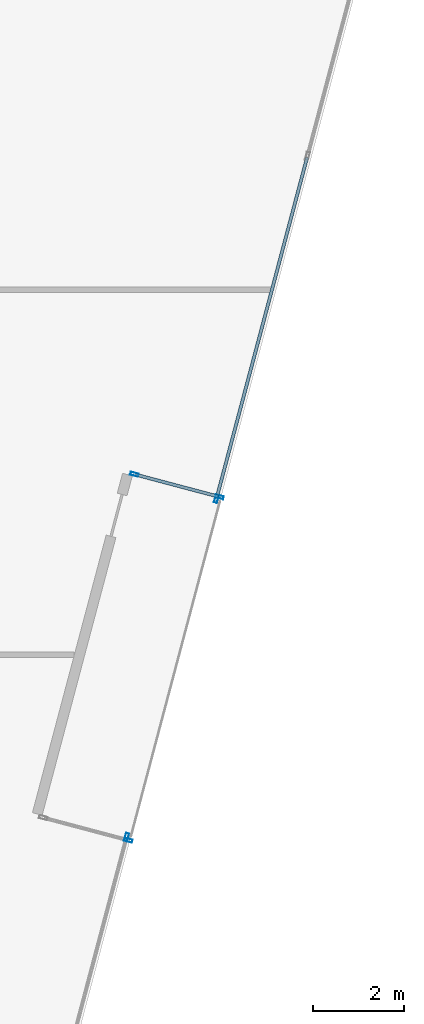
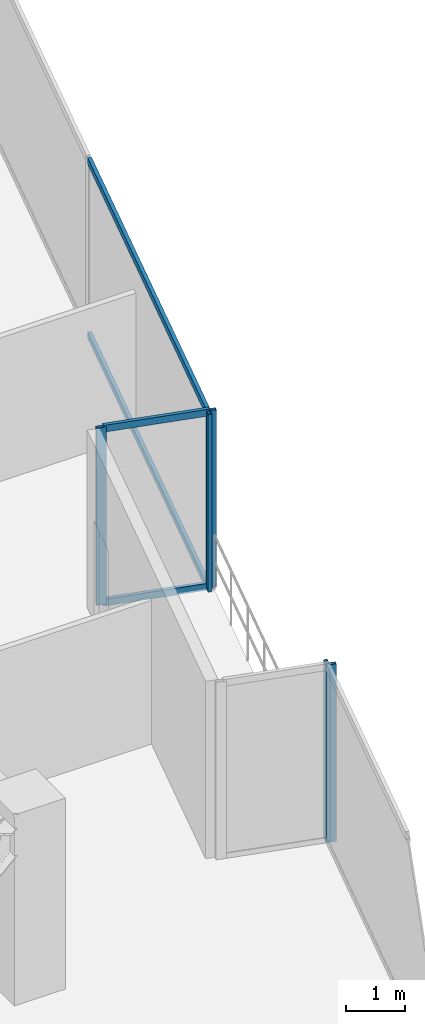
# One storey, part 13 of 27: 9 members, 4 elements without a shape of their own.
"""IFC4 building model written with IfcOpenShell, lengths in metres."""

import ifcopenshell
import ifcopenshell.guid

model = None  # the IFC model being written
_history = None  # IfcOwnerHistory: only IFC2X3 demands one
_inside = {}  # id of a spatial element -> (the spatial element, [elements in it])
_under = {}  # id of a project, library or spatial element -> (it, [spatial elements below it])
_declared = {}  # id of a project -> (the project, [libraries it declares])
_typed = {}  # id of a type object -> (the type object, [elements of that type])
_made_of = {}  # id of a material, layer set ... -> (it, [elements and type objects made of it])


def new_model(schema):
    """Start an empty IFC model of exactly this schema.

    Asked for "IFC4X3", IfcOpenShell would pick the latest addendum, in which some entities
    have other attributes; the version numbers below select the first issue.
    IFC2X3 requires an IfcOwnerHistory on every rooted entity: one is made here for all.
    """
    global model, _history
    if schema == "IFC4X3":
        model = ifcopenshell.file(schema_version=(4, 3, 0, 0))
    else:
        model = ifcopenshell.file(schema=schema)
    _inside.clear()
    _under.clear()
    _declared.clear()
    _typed.clear()
    _made_of.clear()
    _history = None
    if model.schema == "IFC2X3":
        org = make("IfcOrganization", Name="unknown")
        user = make(
            "IfcPersonAndOrganization",
            ThePerson=make("IfcPerson", FamilyName="unknown"),
            TheOrganization=org,
        )
        app = make(
            "IfcApplication",
            ApplicationDeveloper=org,
            Version="unknown",
            ApplicationFullName="unknown",
            ApplicationIdentifier="unknown",
        )
        _history = make(
            "IfcOwnerHistory",
            OwningUser=user,
            OwningApplication=app,
            ChangeAction="ADDED",
            CreationDate=0,
        )
    return model


def make(cls, **values):
    """One entity of the class cls with the attributes given. An attribute that is None is left unset."""
    return model.create_entity(
        cls, **{name: value for name, value in values.items() if value is not None}
    )


def rooted(cls, **values):
    """An entity with a GlobalId (a new one), such as an element, a storey or a relation."""
    return make(cls, GlobalId=ifcopenshell.guid.new(), OwnerHistory=_history, **values)


def si_unit(unit_type, name, prefix=None):
    """IfcSIUnit, for example si_unit("LENGTHUNIT", "METRE", prefix="MILLI")."""
    return make("IfcSIUnit", UnitType=unit_type, Prefix=prefix, Name=name)


def assignment(units):
    """IfcUnitAssignment: the units of a project."""
    return None if units is None else make("IfcUnitAssignment", Units=units)


def point(xyz):
    """IfcCartesianPoint."""
    return None if xyz is None else make("IfcCartesianPoint", Coordinates=xyz)


def direction(xyz):
    """IfcDirection."""
    return None if xyz is None else make("IfcDirection", DirectionRatios=xyz)


def frame(location, z_axis=None, x_axis=None):
    """IfcAxis2Placement3D, a coordinate frame: its origin and axes. An axis left out is left unset."""
    return make(
        "IfcAxis2Placement3D",
        Location=point(location),
        Axis=direction(z_axis),
        RefDirection=direction(x_axis),
    )


def frame_2d(location, x_axis=None):
    """IfcAxis2Placement2D, a coordinate frame in the plane: its origin and x axis."""
    return make(
        "IfcAxis2Placement2D", Location=point(location), RefDirection=direction(x_axis)
    )


def origin():
    """The frame at (0, 0, 0) with its axes left unset."""
    return frame((0.0, 0.0, 0.0))


def origin_2d():
    """The frame at (0, 0) in the plane with its x axis left unset."""
    return frame_2d((0.0, 0.0))


def place(relative_to, where):
    """IfcLocalPlacement: puts the frame where relative to a parent placement (None: the world)."""
    return make(
        "IfcLocalPlacement", PlacementRelTo=relative_to, RelativePlacement=where
    )


def context(
    kind, dimensions, precision=None, world=None, true_north=None, identifier=None
):
    """IfcGeometricRepresentationContext, for example the 3D "Model" context."""
    return make(
        "IfcGeometricRepresentationContext",
        ContextIdentifier=identifier,
        ContextType=kind,
        CoordinateSpaceDimension=dimensions,
        Precision=precision,
        WorldCoordinateSystem=world,
        TrueNorth=true_north,
    )


def subcontext(parent, identifier, kind, view, scale=None):
    """IfcGeometricRepresentationSubContext, for example "Body" below "Model"."""
    return make(
        "IfcGeometricRepresentationSubContext",
        ContextIdentifier=identifier,
        ContextType=kind,
        ParentContext=parent,
        TargetScale=scale,
        TargetView=view,
    )


def project(units=None, contexts=None):
    """IfcProject with its units and contexts."""
    return rooted(
        "IfcProject",
        Name="project",
        RepresentationContexts=contexts,
        UnitsInContext=assignment(units),
    )


def spatial(cls, under=None, at=None, **own):
    """A site, building, storey or space (cls), placed at a placement, below another one or the project."""
    s = rooted(cls, ObjectPlacement=at, **own)
    if under is not None:
        _under.setdefault(under.id(), (under, []))[1].append(s)
    return s


def profile(cls, at=None, kind="AREA", **sizes):
    """A parametric profile (cls). Its sizes go by their IFC names, for example OverallWidth=200.0."""
    return make(cls, ProfileType=kind, Position=at, **sizes)


def hollow_rectangle(**sizes):
    """IfcRectangleHollowProfileDef."""
    return profile("IfcRectangleHollowProfileDef", **sizes)


def extrude(swept, where, along, depth):
    """IfcExtrudedAreaSolid: the profile swept, set in the frame where, extruded along a direction by depth."""
    return make(
        "IfcExtrudedAreaSolid",
        SweptArea=swept,
        Position=where,
        ExtrudedDirection=direction(along),
        Depth=depth,
    )


def shape(context_of_items, identifier, shape_type, items):
    """IfcShapeRepresentation: the items that make up one representation, for example the "Body"."""
    return make(
        "IfcShapeRepresentation",
        ContextOfItems=context_of_items,
        RepresentationIdentifier=identifier,
        RepresentationType=shape_type,
        Items=items,
    )


def source(mapping_origin, context_of_items, identifier, shape_type, items):
    """IfcRepresentationMap: a shape defined once, which mapped items show again and again."""
    return make(
        "IfcRepresentationMap",
        MappingOrigin=mapping_origin,
        MappedRepresentation=shape(context_of_items, identifier, shape_type, items),
    )


def transform(
    local_origin,
    x_axis=None,
    y_axis=None,
    z_axis=None,
    scale=None,
    scale2=None,
    scale3=None,
    uniform=True,
):
    """IfcCartesianTransformationOperator3D, or its non-uniform kind. x_axis, y_axis, z_axis: its Axis1, 2, 3."""
    if uniform:
        return make(
            "IfcCartesianTransformationOperator3D",
            Axis1=direction(x_axis),
            Axis2=direction(y_axis),
            LocalOrigin=point(local_origin),
            Scale=scale,
            Axis3=direction(z_axis),
        )
    return make(
        "IfcCartesianTransformationOperator3DnonUniform",
        Axis1=direction(x_axis),
        Axis2=direction(y_axis),
        LocalOrigin=point(local_origin),
        Scale=scale,
        Axis3=direction(z_axis),
        Scale2=scale2,
        Scale3=scale3,
    )


def mapped(mapping_source, mapping_target):
    """IfcMappedItem: shows the shape of a source again, moved by a transform."""
    return make(
        "IfcMappedItem", MappingSource=mapping_source, MappingTarget=mapping_target
    )


def material(Name=None, Category=None):
    """IfcMaterial."""
    return make("IfcMaterial", Name=Name, Category=Category)


def material_profile(
    of_material, cross_section, Name=None, Category=None, Priority=None
):
    """IfcMaterialProfile: a cross section and its material."""
    return make(
        "IfcMaterialProfile",
        Name=Name,
        Material=of_material,
        Profile=cross_section,
        Priority=Priority,
        Category=Category,
    )


def profile_set(profiles, Name=None, composite=None):
    """IfcMaterialProfileSet."""
    return make(
        "IfcMaterialProfileSet",
        Name=Name,
        MaterialProfiles=profiles,
        CompositeProfile=composite,
    )


def made_of(thing, what):
    """Note that an element or type object is made of a material, layer set ...; save() writes the relation."""
    if what is not None:
        _made_of.setdefault(what.id(), (what, []))[1].append(thing)
    return thing


def type_object(cls, material=None, **own):
    """A type object (cls), such as IfcWallType, which elements share."""
    return made_of(rooted(cls, **own), material)


def type_shapes(of_type, sources):
    """Give a type object the sources (RepresentationMaps) that its elements show as mapped items."""
    of_type.RepresentationMaps = sources


def element(
    cls,
    number,
    at=None,
    inside=None,
    cuts=None,
    type_object=None,
    material=None,
    context=None,
    identifier="Body",
    shape_type=None,
    held_by="IfcProductDefinitionShape",
    body=None,
    shapes=None,
    **own,
):
    """One element of the class cls, such as IfcWall. Its Tag is "e" and its number.

    at: its placement. inside: the storey or other place that contains it. cuts: it is an
    opening in that element (IfcRelVoidsElement). A single representation is given by context,
    identifier, shape_type and body (its items); several are given by shapes. held_by: the class
    of the entity that holds the representations. save() writes the other relations.
    """
    e = rooted(cls, Tag="e%d" % number, ObjectPlacement=at, **own)
    if body is not None:
        shapes = [shape(context, identifier, shape_type, body)]
    if shapes is not None:
        e.Representation = make(held_by, Representations=shapes)
    if inside is not None:
        _inside.setdefault(inside.id(), (inside, []))[1].append(e)
    if cuts is not None:
        rooted(
            "IfcRelVoidsElement", RelatingBuildingElement=cuts, RelatedOpeningElement=e
        )
    if type_object is not None:
        _typed.setdefault(type_object.id(), (type_object, []))[1].append(e)
    return made_of(e, material)


def aggregate(whole, parts):
    """IfcRelAggregates: a whole, such as a stair, and the parts it consists of."""
    return rooted("IfcRelAggregates", RelatingObject=whole, RelatedObjects=parts)


def save(model, path):
    """Write the relations noted so far, then the file.

    IfcRelAggregates (storeys below a building ...), IfcRelContainedInSpatialStructure (elements
    in a storey), IfcRelDefinesByType, IfcRelAssociatesMaterial and IfcRelDeclares: one each for
    every whole, place, type object, material and project.
    """
    for whole, parts in _under.values():
        aggregate(whole, parts)
    for where, things in _inside.values():
        rooted(
            "IfcRelContainedInSpatialStructure",
            RelatedElements=things,
            RelatingStructure=where,
        )
    for kind, things in _typed.values():
        rooted("IfcRelDefinesByType", RelatedObjects=things, RelatingType=kind)
    for what, things in _made_of.values():
        rooted("IfcRelAssociatesMaterial", RelatedObjects=things, RelatingMaterial=what)
    for by, libraries in _declared.values():
        rooted("IfcRelDeclares", RelatingContext=by, RelatedDefinitions=libraries)
    model.write(path)


model = new_model("IFC4")

# Units and contexts
model_context = context("Model", 3, precision=1e-05, world=origin(), true_north=direction((0.0, 1.0)))
body_context = subcontext(model_context, "Body", "Model", "MODEL_VIEW")
ifc_project = project(units=[si_unit("LENGTHUNIT", "METRE"), si_unit("AREAUNIT", "SQUARE_METRE"), si_unit("VOLUMEUNIT", "CUBIC_METRE"), si_unit("PLANEANGLEUNIT", "RADIAN"), si_unit("MASSUNIT", "GRAM", prefix="KILO")], contexts=[model_context])

# Site, building, storey
site_placement = place(None, origin())
site = spatial("IfcSite", under=ifc_project, at=site_placement, CompositionType="ELEMENT")
building_placement = place(site_placement, origin())
building = spatial("IfcBuilding", under=site, at=building_placement, Name="Krantzveldt Concourse Tower", CompositionType="ELEMENT")
storey_placement = place(building_placement, frame((0.0, 0.0, 101.89990234375)))
storey = spatial("IfcBuildingStorey", under=building, at=storey_placement, Name="L24", CompositionType="ELEMENT", Elevation=101.89990234375)

# Curtain wall, member
ifc_material = material(Name="Anodised aluminium 6063-T6", Category="aluminium")
curtain_wall_type_1 = type_object("IfcCurtainWallType", Name="CW2", PredefinedType="USERDEFINED", material=ifc_material)
curtain_wall_1_placement = place(storey_placement, origin())
curtain_wall_1 = element("IfcCurtainWall", 1, at=curtain_wall_1_placement, inside=storey, type_object=curtain_wall_type_1, Name="CW-L24-F07", ObjectType="UNITISED CURTAIN WALL", PredefinedType="USERDEFINED")
ifc_material_profile_1 = material_profile(ifc_material, hollow_rectangle(XDim=0.070068359375, YDim=0.179931640625, WallThickness=0.0048828125, at=origin_2d()), Name="Anodised aluminium 6063-T6", Category="aluminium")
ifc_profile_set_1 = profile_set([ifc_material_profile_1], Name="Anodised aluminium 6063-T6 - ALU-MULL 180x70x5")
member_type_1 = type_object("IfcMemberType", Name="CW-MUL-180", PredefinedType="MULLION", material=ifc_profile_set_1)
shared_shape_1 = source(origin(), body_context, "Body", "SweptSolid", [
    extrude(hollow_rectangle(XDim=0.070068359375, YDim=0.179931640625, WallThickness=0.0048828125, at=origin_2d()), origin(), (0.0, 0.0, 1.0), 3.670166015625),
])
type_shapes(member_type_1, [shared_shape_1])
member_1_placement = place(storey_placement, frame((57.54443359375, 17.009521484375, 0.0), z_axis=(0.0, 0.0, 1.0), x_axis=(-0.966488210944, 0.256711001141, 0.0)))
member_1 = element("IfcMember", 2, at=member_1_placement, type_object=member_type_1, Name="CW-Z12 mullion 3", PredefinedType="MULLION", context=body_context, shape_type="MappedRepresentation", body=[
    mapped(shared_shape_1, transform((0.0, 0.0, 0.0), x_axis=(1.0, 0.0, 0.0), y_axis=(0.0, 1.0, 0.0), z_axis=(0.0, 0.0, 1.0), scale=1.0)),
])
aggregate(curtain_wall_1, [member_1])

curtain_wall_type_2 = type_object("IfcCurtainWallType", Name="CW6", PredefinedType="USERDEFINED", material=ifc_material)
curtain_wall_2_placement = place(storey_placement, origin())
curtain_wall_2 = element("IfcCurtainWall", 3, at=curtain_wall_2_placement, inside=storey, type_object=curtain_wall_type_2, Name="CW-L24-TR08", ObjectType="UNITISED CURTAIN WALL", PredefinedType="USERDEFINED")
member_2_placement = place(storey_placement, frame((57.58349609375, 16.9423828125, 0.0), z_axis=(0.0, 0.0, 1.0), x_axis=(-0.256714292587, -0.96648733669, 0.0)))
member_2 = element("IfcMember", 4, at=member_2_placement, type_object=member_type_1, Name="CW-TERR mullion 1", PredefinedType="MULLION", context=body_context, shape_type="MappedRepresentation", body=[
    mapped(shared_shape_1, transform((0.0, 0.0, 0.0), x_axis=(1.0, 0.0, 0.0), y_axis=(0.0, 1.0, 0.0), z_axis=(0.0, 0.0, 1.0), scale=1.0)),
])
aggregate(curtain_wall_2, [member_2])

# Curtain wall, members
curtain_wall_3_placement = place(storey_placement, origin())
curtain_wall_3 = element("IfcCurtainWall", 5, at=curtain_wall_3_placement, inside=storey, type_object=curtain_wall_type_2, Name="CW-L24-TR10", ObjectType="UNITISED CURTAIN WALL", PredefinedType="USERDEFINED")
member_3_placement = place(storey_placement, frame((57.71533203125, 24.95703125, 0.0), z_axis=(0.0, 0.0, 1.0), x_axis=(0.256709622099, 0.966488577233, 0.0)))
member_3 = element("IfcMember", 6, at=member_3_placement, type_object=member_type_1, Name="CW-TERR mullion 1", PredefinedType="MULLION", context=body_context, shape_type="MappedRepresentation", body=[
    mapped(shared_shape_1, transform((0.0, 0.0, 0.0), x_axis=(1.0, 0.0, 0.0), y_axis=(0.0, 1.0, 0.0), z_axis=(0.0, 0.0, 1.0), scale=1.0)),
])
member_4_placement = place(storey_placement, frame((59.58056640625, 24.461669921875, 0.0), z_axis=(0.0, 0.0, 1.0), x_axis=(0.256709622099, 0.966488577233, 0.0)))
member_4 = element("IfcMember", 7, at=member_4_placement, type_object=member_type_1, Name="CW-TERR mullion 2", PredefinedType="MULLION", context=body_context, shape_type="MappedRepresentation", body=[
    mapped(shared_shape_1, transform((0.0, 0.0, 0.0), x_axis=(1.0, 0.0, 0.0), y_axis=(0.0, 1.0, 0.0), z_axis=(0.0, 0.0, 1.0), scale=1.0)),
])

# Curtain wall, member
curtain_wall_4_placement = place(storey_placement, origin())
curtain_wall_4 = element("IfcCurtainWall", 8, at=curtain_wall_4_placement, inside=storey, type_object=curtain_wall_type_1, Name="CW-L24-F11", ObjectType="UNITISED CURTAIN WALL", PredefinedType="USERDEFINED")
member_5_placement = place(storey_placement, frame((59.513427734375, 24.422607421875, 0.0), z_axis=(0.0, 0.0, 1.0), x_axis=(-0.966488210944, 0.256711001141, 0.0)))
member_5 = element("IfcMember", 9, at=member_5_placement, type_object=member_type_1, Name="CW-Z12 mullion 1", PredefinedType="MULLION", context=body_context, shape_type="MappedRepresentation", body=[
    mapped(shared_shape_1, transform((0.0, 0.0, 0.0), x_axis=(1.0, 0.0, 0.0), y_axis=(0.0, 1.0, 0.0), z_axis=(0.0, 0.0, 1.0), scale=1.0)),
])

# Member
ifc_material_profile_2 = material_profile(ifc_material, hollow_rectangle(XDim=0.070068359375, YDim=0.139892578125, WallThickness=0.0048828125, at=origin_2d()), Name="Anodised aluminium 6063-T6", Category="aluminium")
ifc_profile_set_2 = profile_set([ifc_material_profile_2], Name="Anodised aluminium 6063-T6 - ALU-TRAN 140x70x5")
member_type_2 = type_object("IfcMemberType", Name="CW-TRN-150", PredefinedType="USERDEFINED", material=ifc_profile_set_2)
shared_shape_2 = source(origin(), body_context, "Body", "SweptSolid", [
    extrude(hollow_rectangle(XDim=0.070068359375, YDim=0.139892578125, WallThickness=0.0048828125, at=origin_2d()), origin(), (0.0, 0.0, 1.0), 1.860107421875),
])
member_6_placement = place(storey_placement, frame((57.7490234375, 24.947998046875, 0.03515625), z_axis=(0.966487162164, -0.256714949646, 0.0), x_axis=(0.256714949646, 0.966487162164, 0.0)))
member_6 = element("IfcMember", 10, at=member_6_placement, type_object=member_type_2, Name="CW-TERR transom 1.1", ObjectType="TRANSOM", PredefinedType="USERDEFINED", context=body_context, shape_type="MappedRepresentation", body=[
    mapped(shared_shape_2, transform((0.0, 0.0, 0.0), x_axis=(1.0, 0.0, 0.0), y_axis=(0.0, 1.0, 0.0), z_axis=(0.0, 0.0, 1.0), scale=1.0)),
])

member_7_placement = place(storey_placement, frame((57.7490234375, 24.947998046875, 3.635009765625), z_axis=(0.966487162164, -0.256714949646, 0.0), x_axis=(0.256714949646, 0.966487162164, 0.0)))
member_7 = element("IfcMember", 11, at=member_7_placement, type_object=member_type_2, Name="CW-TERR transom 1.2", ObjectType="TRANSOM", PredefinedType="USERDEFINED", context=body_context, shape_type="MappedRepresentation", body=[
    mapped(shared_shape_2, transform((0.0, 0.0, 0.0), x_axis=(1.0, 0.0, 0.0), y_axis=(0.0, 1.0, 0.0), z_axis=(0.0, 0.0, 1.0), scale=1.0)),
])

aggregate(curtain_wall_3, [member_3, member_4, member_6, member_7])

shared_shape_3 = source(origin(), body_context, "Body", "SweptSolid", [
    extrude(hollow_rectangle(XDim=0.070068359375, YDim=0.139892578125, WallThickness=0.0048828125, at=origin_2d()), origin(), (0.0, 0.0, 1.0), 7.695068359375),
])
type_shapes(member_type_2, [shared_shape_2, shared_shape_3])
member_8_placement = place(storey_placement, frame((59.522216796875, 24.456298828125, 0.03515625), z_axis=(0.256730483755, 0.966483035915, 0.0), x_axis=(-0.966483035915, 0.256730483755, 0.0)))
member_8 = element("IfcMember", 12, at=member_8_placement, type_object=member_type_2, Name="CW-Z12 transom 1.1", ObjectType="TRANSOM", PredefinedType="USERDEFINED", context=body_context, shape_type="MappedRepresentation", body=[
    mapped(shared_shape_3, transform((0.0, 0.0, 0.0), x_axis=(1.0, 0.0, 0.0), y_axis=(0.0, 1.0, 0.0), z_axis=(0.0, 0.0, 1.0), scale=1.0)),
])

member_9_placement = place(storey_placement, frame((59.522216796875, 24.456298828125, 3.635009765625), z_axis=(0.256730483755, 0.966483035915, 0.0), x_axis=(-0.966483035915, 0.256730483755, 0.0)))
member_9 = element("IfcMember", 13, at=member_9_placement, type_object=member_type_2, Name="CW-Z12 transom 1.2", ObjectType="TRANSOM", PredefinedType="USERDEFINED", context=body_context, shape_type="MappedRepresentation", body=[
    mapped(shared_shape_3, transform((0.0, 0.0, 0.0), x_axis=(1.0, 0.0, 0.0), y_axis=(0.0, 1.0, 0.0), z_axis=(0.0, 0.0, 1.0), scale=1.0)),
])

aggregate(curtain_wall_4, [member_5, member_8, member_9])

save(model, "model.ifc")
